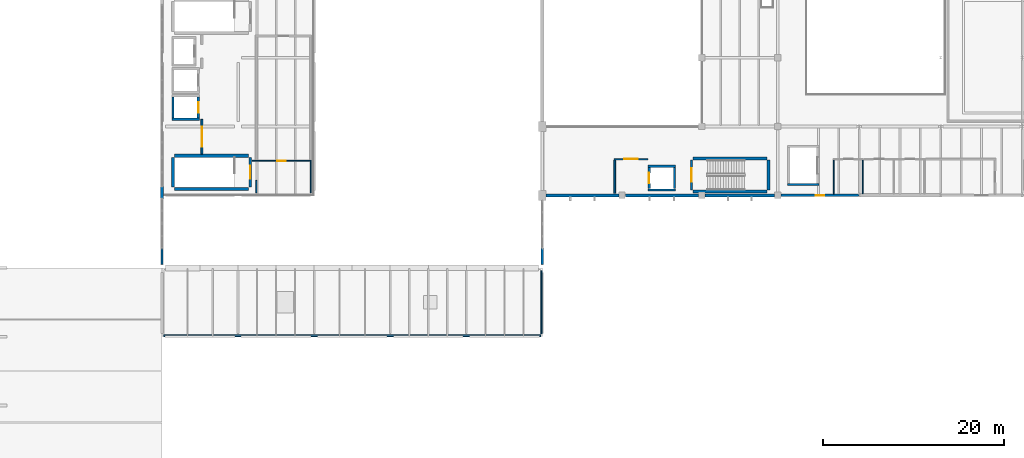
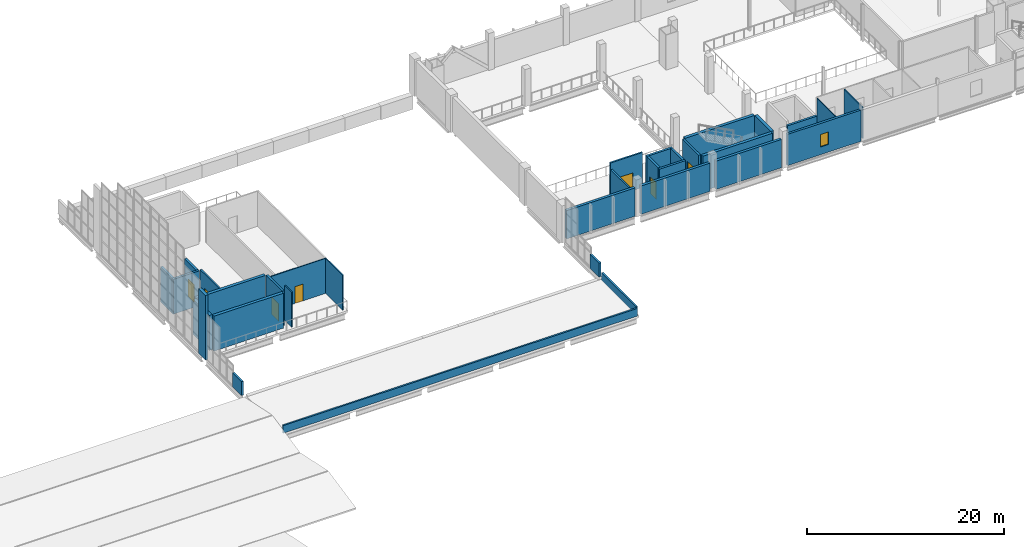
# One storey, part 28 of 37: 33 walls, 7 doors, 1 window, 8 openings.
"""IFC4 building model written with IfcOpenShell, lengths in metres."""

import ifcopenshell
import ifcopenshell.guid

model = None  # the IFC model being written
_history = None  # IfcOwnerHistory: only IFC2X3 demands one
_inside = {}  # id of a spatial element -> (the spatial element, [elements in it])
_under = {}  # id of a project, library or spatial element -> (it, [spatial elements below it])
_declared = {}  # id of a project -> (the project, [libraries it declares])
_typed = {}  # id of a type object -> (the type object, [elements of that type])
_made_of = {}  # id of a material, layer set ... -> (it, [elements and type objects made of it])


def new_model(schema):
    """Start an empty IFC model of exactly this schema.

    Asked for "IFC4X3", IfcOpenShell would pick the latest addendum, in which some entities
    have other attributes; the version numbers below select the first issue.
    IFC2X3 requires an IfcOwnerHistory on every rooted entity: one is made here for all.
    """
    global model, _history
    if schema == "IFC4X3":
        model = ifcopenshell.file(schema_version=(4, 3, 0, 0))
    else:
        model = ifcopenshell.file(schema=schema)
    _inside.clear()
    _under.clear()
    _declared.clear()
    _typed.clear()
    _made_of.clear()
    _history = None
    if model.schema == "IFC2X3":
        org = make("IfcOrganization", Name="unknown")
        user = make(
            "IfcPersonAndOrganization",
            ThePerson=make("IfcPerson", FamilyName="unknown"),
            TheOrganization=org,
        )
        app = make(
            "IfcApplication",
            ApplicationDeveloper=org,
            Version="unknown",
            ApplicationFullName="unknown",
            ApplicationIdentifier="unknown",
        )
        _history = make(
            "IfcOwnerHistory",
            OwningUser=user,
            OwningApplication=app,
            ChangeAction="ADDED",
            CreationDate=0,
        )
    return model


def make(cls, **values):
    """One entity of the class cls with the attributes given. An attribute that is None is left unset."""
    return model.create_entity(
        cls, **{name: value for name, value in values.items() if value is not None}
    )


def rooted(cls, **values):
    """An entity with a GlobalId (a new one), such as an element, a storey or a relation."""
    return make(cls, GlobalId=ifcopenshell.guid.new(), OwnerHistory=_history, **values)


def si_unit(unit_type, name, prefix=None):
    """IfcSIUnit, for example si_unit("LENGTHUNIT", "METRE", prefix="MILLI")."""
    return make("IfcSIUnit", UnitType=unit_type, Prefix=prefix, Name=name)


def assignment(units):
    """IfcUnitAssignment: the units of a project."""
    return None if units is None else make("IfcUnitAssignment", Units=units)


def point(xyz):
    """IfcCartesianPoint."""
    return None if xyz is None else make("IfcCartesianPoint", Coordinates=xyz)


def direction(xyz):
    """IfcDirection."""
    return None if xyz is None else make("IfcDirection", DirectionRatios=xyz)


def frame(location, z_axis=None, x_axis=None):
    """IfcAxis2Placement3D, a coordinate frame: its origin and axes. An axis left out is left unset."""
    return make(
        "IfcAxis2Placement3D",
        Location=point(location),
        Axis=direction(z_axis),
        RefDirection=direction(x_axis),
    )


def frame_2d(location, x_axis=None):
    """IfcAxis2Placement2D, a coordinate frame in the plane: its origin and x axis."""
    return make(
        "IfcAxis2Placement2D", Location=point(location), RefDirection=direction(x_axis)
    )


def origin():
    """The frame at (0, 0, 0) with its axes left unset."""
    return frame((0.0, 0.0, 0.0))


def place(relative_to, where):
    """IfcLocalPlacement: puts the frame where relative to a parent placement (None: the world)."""
    return make(
        "IfcLocalPlacement", PlacementRelTo=relative_to, RelativePlacement=where
    )


def context(
    kind, dimensions, precision=None, world=None, true_north=None, identifier=None
):
    """IfcGeometricRepresentationContext, for example the 3D "Model" context."""
    return make(
        "IfcGeometricRepresentationContext",
        ContextIdentifier=identifier,
        ContextType=kind,
        CoordinateSpaceDimension=dimensions,
        Precision=precision,
        WorldCoordinateSystem=world,
        TrueNorth=true_north,
    )


def subcontext(parent, identifier, kind, view, scale=None):
    """IfcGeometricRepresentationSubContext, for example "Body" below "Model"."""
    return make(
        "IfcGeometricRepresentationSubContext",
        ContextIdentifier=identifier,
        ContextType=kind,
        ParentContext=parent,
        TargetScale=scale,
        TargetView=view,
    )


def project(units=None, contexts=None):
    """IfcProject with its units and contexts."""
    return rooted(
        "IfcProject",
        Name="project",
        RepresentationContexts=contexts,
        UnitsInContext=assignment(units),
    )


def spatial(cls, under=None, at=None, **own):
    """A site, building, storey or space (cls), placed at a placement, below another one or the project."""
    s = rooted(cls, ObjectPlacement=at, **own)
    if under is not None:
        _under.setdefault(under.id(), (under, []))[1].append(s)
    return s


def profile(cls, at=None, kind="AREA", **sizes):
    """A parametric profile (cls). Its sizes go by their IFC names, for example OverallWidth=200.0."""
    return make(cls, ProfileType=kind, Position=at, **sizes)


def rectangle(**sizes):
    """IfcRectangleProfileDef."""
    return profile("IfcRectangleProfileDef", **sizes)


def extrude(swept, where, along, depth):
    """IfcExtrudedAreaSolid: the profile swept, set in the frame where, extruded along a direction by depth."""
    return make(
        "IfcExtrudedAreaSolid",
        SweptArea=swept,
        Position=where,
        ExtrudedDirection=direction(along),
        Depth=depth,
    )


def shape(context_of_items, identifier, shape_type, items):
    """IfcShapeRepresentation: the items that make up one representation, for example the "Body"."""
    return make(
        "IfcShapeRepresentation",
        ContextOfItems=context_of_items,
        RepresentationIdentifier=identifier,
        RepresentationType=shape_type,
        Items=items,
    )


def material(Name=None, Category=None):
    """IfcMaterial."""
    return make("IfcMaterial", Name=Name, Category=Category)


def layer(
    of_material, thickness, ventilated=None, Name=None, Category=None, Priority=None
):
    """IfcMaterialLayer: one layer of a wall or slab, of a material (None: an air gap)."""
    return make(
        "IfcMaterialLayer",
        Material=of_material,
        LayerThickness=thickness,
        IsVentilated=ventilated,
        Name=Name,
        Category=Category,
        Priority=Priority,
    )


def layer_set(layers, Name=None):
    """IfcMaterialLayerSet."""
    return make("IfcMaterialLayerSet", MaterialLayers=layers, LayerSetName=Name)


def made_of(thing, what):
    """Note that an element or type object is made of a material, layer set ...; save() writes the relation."""
    if what is not None:
        _made_of.setdefault(what.id(), (what, []))[1].append(thing)
    return thing


def type_object(cls, material=None, **own):
    """A type object (cls), such as IfcWallType, which elements share."""
    return made_of(rooted(cls, **own), material)


def element(
    cls,
    number,
    at=None,
    inside=None,
    cuts=None,
    type_object=None,
    material=None,
    context=None,
    identifier="Body",
    shape_type=None,
    held_by="IfcProductDefinitionShape",
    body=None,
    shapes=None,
    **own,
):
    """One element of the class cls, such as IfcWall. Its Tag is "e" and its number.

    at: its placement. inside: the storey or other place that contains it. cuts: it is an
    opening in that element (IfcRelVoidsElement). A single representation is given by context,
    identifier, shape_type and body (its items); several are given by shapes. held_by: the class
    of the entity that holds the representations. save() writes the other relations.
    """
    e = rooted(cls, Tag="e%d" % number, ObjectPlacement=at, **own)
    if body is not None:
        shapes = [shape(context, identifier, shape_type, body)]
    if shapes is not None:
        e.Representation = make(held_by, Representations=shapes)
    if inside is not None:
        _inside.setdefault(inside.id(), (inside, []))[1].append(e)
    if cuts is not None:
        rooted(
            "IfcRelVoidsElement", RelatingBuildingElement=cuts, RelatedOpeningElement=e
        )
    if type_object is not None:
        _typed.setdefault(type_object.id(), (type_object, []))[1].append(e)
    return made_of(e, material)


def fill(opening, filler):
    """IfcRelFillsElement: the door or window that sits in an opening."""
    return rooted(
        "IfcRelFillsElement",
        RelatingOpeningElement=opening,
        RelatedBuildingElement=filler,
    )


def aggregate(whole, parts):
    """IfcRelAggregates: a whole, such as a stair, and the parts it consists of."""
    return rooted("IfcRelAggregates", RelatingObject=whole, RelatedObjects=parts)


def save(model, path):
    """Write the relations noted so far, then the file.

    IfcRelAggregates (storeys below a building ...), IfcRelContainedInSpatialStructure (elements
    in a storey), IfcRelDefinesByType, IfcRelAssociatesMaterial and IfcRelDeclares: one each for
    every whole, place, type object, material and project.
    """
    for whole, parts in _under.values():
        aggregate(whole, parts)
    for where, things in _inside.values():
        rooted(
            "IfcRelContainedInSpatialStructure",
            RelatedElements=things,
            RelatingStructure=where,
        )
    for kind, things in _typed.values():
        rooted("IfcRelDefinesByType", RelatedObjects=things, RelatingType=kind)
    for what, things in _made_of.values():
        rooted("IfcRelAssociatesMaterial", RelatedObjects=things, RelatingMaterial=what)
    for by, libraries in _declared.values():
        rooted("IfcRelDeclares", RelatingContext=by, RelatedDefinitions=libraries)
    model.write(path)


model = new_model("IFC4")

# Units and contexts
model_context = context("Model", 3, precision=1e-05, world=origin(), true_north=direction((0.0, 1.0)))
body_context = subcontext(model_context, "Body", "Model", "MODEL_VIEW")
ifc_project = project(units=[si_unit("LENGTHUNIT", "METRE"), si_unit("AREAUNIT", "SQUARE_METRE"), si_unit("VOLUMEUNIT", "CUBIC_METRE"), si_unit("PLANEANGLEUNIT", "RADIAN"), si_unit("MASSUNIT", "GRAM", prefix="KILO")], contexts=[model_context])

# Site, building, storey
site_placement = place(None, origin())
site = spatial("IfcSite", under=ifc_project, at=site_placement, CompositionType="ELEMENT")
building_placement = place(site_placement, origin())
building = spatial("IfcBuilding", under=site, at=building_placement, Name="Shengluoqiao Park Theatre", CompositionType="ELEMENT")
storey_placement = place(building_placement, frame((0.0, 0.0, 19.199951171875)))
storey = spatial("IfcBuildingStorey", under=building, at=storey_placement, Name="L04", CompositionType="ELEMENT", Elevation=19.199951171875)

# Wall, opening, window
ifc_material_1 = material(Name="Concrete C40", Category="concrete")
ifc_layer_1 = layer(ifc_material_1, 0.27001953125, Name="Concrete C40")
ifc_layer_set_1 = layer_set([ifc_layer_1], Name="Concrete C40")
wall_type_1 = type_object("IfcWallType", Name="ENV-WL-CONC270", PredefinedType="STANDARD", material=ifc_layer_set_1)
wall_1_placement = place(storey_placement, frame((112.75390625, 84.0, 0.0), z_axis=(0.0, 0.0, 1.0), x_axis=(1.0, 0.0, 0.0)))
wall_1 = element("IfcWall", 1, at=wall_1_placement, inside=storey, type_object=wall_type_1, Name="L04 Exterior Wall 0256", PredefinedType="STANDARD", context=body_context, shape_type="SweptSolid", body=[
    extrude(rectangle(XDim=8.635986328125, YDim=0.27001953125, at=frame_2d((4.31787109375, 0.0))), origin(), (0.0, 0.0, 1.0), 3.8779296875),
])
opening_1_placement = place(wall_1_placement, frame((3.843017578125, 0.0, 0.949951171875)))
opening_1 = element("IfcOpeningElement", 2, at=opening_1_placement, cuts=wall_1, Name="Opening W-08", PredefinedType="OPENING", context=body_context, shape_type="SweptSolid", body=[
    extrude(rectangle(XDim=0.949951171875, YDim=1.550048828125, at=frame_2d((0.47509765625, 0.77490234375))), frame((0.0, 0.14501953125, 0.0), z_axis=(0.0, -1.0, 0.0), x_axis=(1.0, 0.0, 0.0)), (0.0, 0.0, 1.0), 0.2900390625),
])
ifc_material_2 = material(Name="Insulated glass", Category="glass")
window_type = type_object("IfcWindowType", Name="ENV-WIN-W08", PartitioningType="SINGLE_PANEL", PredefinedType="WINDOW", material=ifc_material_2)
window_placement = place(opening_1_placement, origin())
window = element("IfcWindow", 3, at=window_placement, inside=storey, type_object=window_type, Name="L04 Acoustic Window 0097", OverallHeight=1.550048828125, OverallWidth=0.949951171875, PartitioningType="SINGLE_PANEL", PredefinedType="WINDOW", context=body_context, shape_type="SweptSolid", body=[
    extrude(rectangle(XDim=0.949951171875, YDim=1.550048828125, at=frame_2d((0.47509765625, 0.77490234375))), frame((0.0, 0.030029296875, 0.0), z_axis=(0.0, -1.0, 0.0), x_axis=(1.0, 0.0, 0.0)), (0.0, 0.0, 1.0), 0.06005859375),
])
fill(opening_1, window)

# Walls
ifc_layer_2 = layer(ifc_material_1, 0.31005859375, Name="Concrete C40")
ifc_layer_set_2 = layer_set([ifc_layer_2], Name="Concrete C40")
wall_type_2 = type_object("IfcWallType", Name="ENV-WL-CONC310", PredefinedType="STANDARD", material=ifc_layer_set_2)
wall_2_placement = place(storey_placement, frame((86.803955078125, 84.0, 0.0), z_axis=(0.0, 0.0, 1.0), x_axis=(1.0, 0.0, 0.0)))
element("IfcWall", 4, at=wall_2_placement, inside=storey, type_object=wall_type_2, Name="L04 Exterior Wall 0080", PredefinedType="STANDARD", context=body_context, shape_type="SweptSolid", body=[
    extrude(rectangle(XDim=8.0419921875, YDim=0.31005859375, at=frame_2d((4.02099609375, 0.0))), origin(), (0.0, 0.0, 1.0), 3.51806640625),
])
wall_3_placement = place(storey_placement, frame((95.553955078125, 84.0, 0.0), z_axis=(0.0, 0.0, 1.0), x_axis=(1.0, 0.0, 0.0)))
element("IfcWall", 5, at=wall_3_placement, inside=storey, type_object=wall_type_2, Name="L04 Exterior Wall 0081", PredefinedType="STANDARD", context=body_context, shape_type="SweptSolid", body=[
    extrude(rectangle(XDim=8.092041015625, YDim=0.31005859375, at=frame_2d((4.0458984375, 0.0))), origin(), (0.0, 0.0, 1.0), 3.51806640625),
])
wall_4_placement = place(storey_placement, frame((104.35400390625, 84.0, 0.0), z_axis=(0.0, 0.0, 1.0), x_axis=(1.0, 0.0, 0.0)))
element("IfcWall", 6, at=wall_4_placement, inside=storey, type_object=wall_type_2, Name="L04 Exterior Wall 0082", PredefinedType="STANDARD", context=body_context, shape_type="SweptSolid", body=[
    extrude(rectangle(XDim=7.69189453125, YDim=0.31005859375, at=frame_2d((3.845947265625, 0.0))), origin(), (0.0, 0.0, 1.0), 3.51806640625),
])
ifc_material_3 = material(Name="Concrete C45", Category="concrete")
ifc_layer_3 = layer(ifc_material_3, 0.330078125, Name="Concrete C45")
ifc_layer_set_3 = layer_set([ifc_layer_3], Name="Concrete C45")
wall_type_3 = type_object("IfcWallType", Name="ENV-WL-CONC330", PredefinedType="STANDARD", material=ifc_layer_set_3)
wall_5_placement = place(storey_placement, frame((44.39990234375, 83.60009765625, 0.0), z_axis=(0.0, 0.0, 1.0), x_axis=(0.0, 1.0, 0.0)))
element("IfcWall", 7, at=wall_5_placement, inside=storey, type_object=wall_type_3, Name="L04 Exterior Wall 0301", PredefinedType="STANDARD", context=body_context, shape_type="SweptSolid", body=[
    extrude(rectangle(XDim=1.39990234375, YDim=0.330078125, at=frame_2d((0.699951171875, 0.0))), origin(), (0.0, 0.0, 1.0), 8.024169921875),
])
ifc_material_4 = material(Name="Precast concrete C45", Category="concrete")
ifc_layer_4 = layer(ifc_material_4, 0.25, Name="Precast concrete C45")
ifc_layer_set_4 = layer_set([ifc_layer_4], Name="Precast concrete C45")
wall_type_4 = type_object("IfcWallType", Name="ENV-WL-CRYS250", PredefinedType="STANDARD", material=ifc_layer_set_4)
for number, where, z_axis, x_axis, name in (
    (8, (44.39990234375, 76.340087890625, 0.0), (0.0, 0.0, 1.0), (0.0, 1.0, 0.0), "L04 Exterior Wall 0299"),
    (9, (86.39990234375, 76.340087890625, 0.0), (0.0, 0.0, 1.0), (0.0, 1.0, 0.0), "L04 Exterior Wall 0303"),
):
    element("IfcWall", number, at=place(storey_placement, frame(where, z_axis=z_axis, x_axis=x_axis)), inside=storey, type_object=wall_type_4, Name=name, PredefinedType="STANDARD", context=body_context, shape_type="SweptSolid", body=[
        extrude(rectangle(XDim=1.85986328125, YDim=0.25, at=frame_2d((0.929931640625, 0.0))), origin(), (0.0, 0.0, 1.0), 1.699951171875),
    ])
ifc_layer_5 = layer(ifc_material_4, 0.18994140625, Name="Precast concrete C45")
ifc_layer_set_5 = layer_set([ifc_layer_5], Name="Precast concrete C45")
wall_type_5 = type_object("IfcWallType", Name="ENV-WL-PARA190", PredefinedType="PARAPET", material=ifc_layer_set_5)
wall_6_placement = place(storey_placement, frame((44.60009765625, 68.5, 0.0), z_axis=(0.0, 0.0, 1.0), x_axis=(1.0, 0.0, 0.0)))
element("IfcWall", 10, at=wall_6_placement, inside=storey, type_object=wall_type_5, Name="L04 Roof Parapet Upstand 14", PredefinedType="PARAPET", context=body_context, shape_type="SweptSolid", body=[
    extrude(rectangle(XDim=41.599853515625, YDim=0.18994140625, at=frame_2d((20.7998046875, 0.0))), origin(), (0.0, 0.0, 1.0), 0.949951171875),
])
wall_7_placement = place(storey_placement, frame((86.300048828125, 68.699951171875, 0.0), z_axis=(0.0, 0.0, 1.0), x_axis=(0.0, 1.0, 0.0)))
element("IfcWall", 11, at=wall_7_placement, inside=storey, type_object=wall_type_5, Name="L04 Roof Parapet Upstand 15", PredefinedType="PARAPET", context=body_context, shape_type="SweptSolid", body=[
    extrude(rectangle(XDim=7.0, YDim=0.18994140625, at=frame_2d((3.5, 0.0))), origin(), (0.0, 0.0, 1.0), 0.949951171875),
])

# Wall, opening, door
ifc_material_5 = material(Name="Concrete blockwork B06", Category="masonry")
ifc_layer_6 = layer(ifc_material_5, 0.2099609375, Name="Concrete blockwork B06")
ifc_layer_set_6 = layer_set([ifc_layer_6], Name="Concrete blockwork B06")
wall_type_6 = type_object("IfcWallType", Name="INT-WL-CMP210", PredefinedType="PARTITIONING", material=ifc_layer_set_6)
wall_8_placement = place(storey_placement, frame((48.800048828125, 88.56298828125, 0.0), z_axis=(0.0, 0.0, 1.0), x_axis=(0.0, 1.0, 0.0)))
wall_8 = element("IfcWall", 12, at=wall_8_placement, inside=storey, type_object=wall_type_6, Name="Followspot and Stage Optics Workshop Partition W", PredefinedType="PARTITIONING", context=body_context, shape_type="SweptSolid", body=[
    extrude(rectangle(XDim=3.822998046875, YDim=0.2099609375, at=frame_2d((1.91162109375, 0.0))), origin(), (0.0, 0.0, 1.0), 4.340087890625),
])
opening_2_placement = place(wall_8_placement, frame((0.821533203125, 0.0, 0.0)))
opening_2 = element("IfcOpeningElement", 13, at=opening_2_placement, cuts=wall_8, Name="Opening D-L04-094", PredefinedType="OPENING", context=body_context, shape_type="SweptSolid", body=[
    extrude(rectangle(XDim=2.179931640625, YDim=2.580078125, at=frame_2d((1.08984375, 1.2900390625))), frame((0.0, 0.114990234375, 0.0), z_axis=(0.0, -1.0, 0.0), x_axis=(1.0, 0.0, 0.0)), (0.0, 0.0, 1.0), 0.22998046875),
])
ifc_material_6 = material(Name="Steel Q355", Category="steel")
door_type_1 = type_object("IfcDoorType", Name="INT-DR-WKS218", OperationType="DOUBLE_DOOR_SINGLE_SWING", PredefinedType="DOOR", material=ifc_material_6)
door_1_placement = place(opening_2_placement, origin())
door_1 = element("IfcDoor", 14, at=door_1_placement, inside=storey, type_object=door_type_1, Name="Followspot and Stage Optics Workshop Door D-L04-094", OperationType="DOUBLE_DOOR_SINGLE_SWING", OverallHeight=2.580078125, OverallWidth=2.179931640625, PredefinedType="DOOR", context=body_context, shape_type="SweptSolid", body=[
    extrude(rectangle(XDim=2.179931640625, YDim=2.580078125, at=frame_2d((1.08984375, 1.2900390625))), frame((0.0, 0.02490234375, 0.0), z_axis=(0.0, -1.0, 0.0), x_axis=(1.0, 0.0, 0.0)), (0.0, 0.0, 1.0), 0.050048828125),
])
fill(opening_2, door_1)

# Wall
ifc_layer_7 = layer(ifc_material_5, 0.195068359375, Name="Concrete blockwork B06")
ifc_layer_set_7 = layer_set([ifc_layer_7], Name="Concrete blockwork B06")
wall_type_7 = type_object("IfcWallType", Name="INT-WL-FFL195", PredefinedType="PARTITIONING", material=ifc_layer_set_7)
wall_9_placement = place(storey_placement, frame((94.39990234375, 84.219970703125, 0.0), z_axis=(0.0, 0.0, 1.0), x_axis=(0.0, 1.0, 0.0)))
element("IfcWall", 15, at=wall_9_placement, inside=storey, type_object=wall_type_7, Name="L04 Firefighting Lift Lobby FF1 Fire Wall W", PredefinedType="PARTITIONING", context=body_context, shape_type="SweptSolid", body=[
    extrude(rectangle(XDim=3.675048828125, YDim=0.195068359375, at=frame_2d((1.83740234375, 0.0))), origin(), (0.0, 0.0, 1.0), 3.51806640625),
])

# Wall, opening, door
wall_10_placement = place(storey_placement, frame((94.31005859375, 88.0, 0.0), z_axis=(0.0, 0.0, 1.0), x_axis=(1.0, 0.0, 0.0)))
wall_10 = element("IfcWall", 16, at=wall_10_placement, inside=storey, type_object=wall_type_7, Name="L04 Firefighting Lift Lobby FF1 Fire Wall N", PredefinedType="PARTITIONING", context=body_context, shape_type="SweptSolid", body=[
    extrude(rectangle(XDim=3.75, YDim=0.195068359375, at=frame_2d((1.875, 0.0))), origin(), (0.0, 0.0, 1.0), 4.340087890625),
])
opening_3_placement = place(wall_10_placement, frame((1.125, 0.0, 0.0)))
opening_3 = element("IfcOpeningElement", 17, at=opening_3_placement, cuts=wall_10, Name="Opening FD-FFL-1-L04", PredefinedType="OPENING", context=body_context, shape_type="SweptSolid", body=[
    extrude(rectangle(XDim=1.5, YDim=2.199951171875, at=frame_2d((0.75, 1.10009765625))), frame((0.0, 0.107421875, 0.0), z_axis=(0.0, -1.0, 0.0), x_axis=(1.0, 0.0, 0.0)), (0.0, 0.0, 1.0), 0.215087890625),
])
door_type_2 = type_object("IfcDoorType", Name="INT-DR-FFL150", OperationType="DOUBLE_DOOR_SINGLE_SWING", PredefinedType="DOOR", material=ifc_material_6)
door_2_placement = place(opening_3_placement, origin())
door_2 = element("IfcDoor", 18, at=door_2_placement, inside=storey, type_object=door_type_2, Name="L04 Firefighting Lift Lobby FF1 Fire Door FD-FFL-1-L04", OperationType="DOUBLE_DOOR_SINGLE_SWING", OverallHeight=2.199951171875, OverallWidth=1.5, PredefinedType="DOOR", context=body_context, shape_type="SweptSolid", body=[
    extrude(rectangle(XDim=1.5, YDim=2.199951171875, at=frame_2d((0.75, 1.10009765625))), frame((0.0, 0.02490234375, 0.0), z_axis=(0.0, -1.0, 0.0), x_axis=(1.0, 0.0, 0.0)), (0.0, 0.0, 1.0), 0.050048828125),
])
fill(opening_3, door_2)

# Walls
ifc_layer_8 = layer(ifc_material_1, 0.260009765625, Name="Concrete C40")
ifc_layer_set_8 = layer_set([ifc_layer_8], Name="Concrete C40")
wall_type_8 = type_object("IfcWallType", Name="INT-WL-SHF260", PredefinedType="STANDARD", material=ifc_layer_set_8)
wall_11_placement = place(storey_placement, frame((45.469970703125, 92.39990234375, 0.0), z_axis=(0.0, 0.0, 1.0), x_axis=(1.0, 0.0, 0.0)))
element("IfcWall", 19, at=wall_11_placement, inside=storey, type_object=wall_type_8, Name="L04 PL3 Lift Shaft Wall South", PredefinedType="STANDARD", context=body_context, shape_type="SweptSolid", body=[
    extrude(rectangle(XDim=3.06005859375, YDim=0.260009765625, at=frame_2d((1.530029296875, 0.0))), origin(), (0.0, 0.0, 1.0), 4.340087890625),
])
wall_12_placement = place(storey_placement, frame((45.60009765625, 92.535888671875, 0.0), z_axis=(0.0, 0.0, 1.0), x_axis=(0.0, 1.0, 0.0)))
element("IfcWall", 20, at=wall_12_placement, inside=storey, type_object=wall_type_8, Name="L04 PL3 Lift Shaft Wall West", PredefinedType="STANDARD", context=body_context, shape_type="SweptSolid", body=[
    extrude(rectangle(XDim=2.328125, YDim=0.260009765625, at=frame_2d((1.1640625, 0.0))), origin(), (0.0, 0.0, 1.0), 4.340087890625),
])

# Wall, opening, door
wall_13_placement = place(storey_placement, frame((48.39990234375, 92.535888671875, 0.0), z_axis=(0.0, 0.0, 1.0), x_axis=(0.0, 1.0, 0.0)))
wall_13 = element("IfcWall", 21, at=wall_13_placement, inside=storey, type_object=wall_type_8, Name="L04 PL3 Lift Shaft Wall East", PredefinedType="STANDARD", context=body_context, shape_type="SweptSolid", body=[
    extrude(rectangle(XDim=2.328125, YDim=0.260009765625, at=frame_2d((1.1640625, 0.0))), origin(), (0.0, 0.0, 1.0), 4.340087890625),
])
opening_4_placement = place(wall_13_placement, frame((0.589111328125, 0.0, 0.0)))
opening_4 = element("IfcOpeningElement", 22, at=opening_4_placement, cuts=wall_13, Name="Opening LD-PL3-L04", PredefinedType="OPENING", context=body_context, shape_type="SweptSolid", body=[
    extrude(rectangle(XDim=1.14990234375, YDim=2.14990234375, at=frame_2d((0.574951171875, 1.074951171875))), frame((0.0, 0.139892578125, 0.0), z_axis=(0.0, -1.0, 0.0), x_axis=(1.0, 0.0, 0.0)), (0.0, 0.0, 1.0), 0.280029296875),
])
ifc_material_7 = material(Name="Stainless steel 304", Category="steel")
door_type_3 = type_object("IfcDoorType", Name="INT-DR-LD115", OperationType="SLIDING_TO_LEFT", PredefinedType="DOOR", material=ifc_material_7)
door_3_placement = place(opening_4_placement, origin())
door_3 = element("IfcDoor", 23, at=door_3_placement, inside=storey, type_object=door_type_3, Name="PL3 Lift Landing Door LD-PL3-L04", OperationType="SLIDING_TO_LEFT", OverallHeight=2.14990234375, OverallWidth=1.14990234375, PredefinedType="DOOR", context=body_context, shape_type="SweptSolid", body=[
    extrude(rectangle(XDim=1.14990234375, YDim=2.14990234375, at=frame_2d((0.574951171875, 1.074951171875))), frame((0.0, 0.02490234375, 0.0), z_axis=(0.0, -1.0, 0.0), x_axis=(1.0, 0.0, 0.0)), (0.0, 0.0, 1.0), 0.050048828125),
])
fill(opening_4, door_3)

# Walls
for number, where, z_axis, x_axis, name in (
    (24, (98.070068359375, 84.60009765625, 0.0), (0.0, 0.0, 1.0), (1.0, 0.0, 0.0), "L04 FF1 Lift Shaft Wall South"),
    (25, (98.070068359375, 87.199951171875, 0.0), (0.0, 0.0, 1.0), (1.0, 0.0, 0.0), "L04 FF1 Lift Shaft Wall North"),
):
    element("IfcWall", number, at=place(storey_placement, frame(where, z_axis=z_axis, x_axis=x_axis)), inside=storey, type_object=wall_type_8, Name=name, PredefinedType="STANDARD", context=body_context, shape_type="SweptSolid", body=[
        extrude(rectangle(XDim=3.059814453125, YDim=0.260009765625, at=frame_2d((1.52978515625, 0.0))), origin(), (0.0, 0.0, 1.0), 4.340087890625),
    ])

# Wall, opening, door
wall_14_placement = place(storey_placement, frame((98.199951171875, 84.736083984375, 0.0), z_axis=(0.0, 0.0, 1.0), x_axis=(0.0, 1.0, 0.0)))
wall_14 = element("IfcWall", 26, at=wall_14_placement, inside=storey, type_object=wall_type_8, Name="L04 FF1 Lift Shaft Wall West", PredefinedType="STANDARD", context=body_context, shape_type="SweptSolid", body=[
    extrude(rectangle(XDim=2.327880859375, YDim=0.260009765625, at=frame_2d((1.1640625, 0.0))), origin(), (0.0, 0.0, 1.0), 4.340087890625),
])
opening_5_placement = place(wall_14_placement, frame((0.589111328125, 0.0, 0.0)))
opening_5 = element("IfcOpeningElement", 27, at=opening_5_placement, cuts=wall_14, Name="Opening LD-FF1-L04", PredefinedType="OPENING", context=body_context, shape_type="SweptSolid", body=[
    extrude(rectangle(XDim=1.14990234375, YDim=2.14990234375, at=frame_2d((0.574951171875, 1.074951171875))), frame((0.0, 0.139892578125, 0.0), z_axis=(0.0, -1.0, 0.0), x_axis=(1.0, 0.0, 0.0)), (0.0, 0.0, 1.0), 0.280029296875),
])
door_4_placement = place(opening_5_placement, origin())
door_4 = element("IfcDoor", 28, at=door_4_placement, inside=storey, type_object=door_type_3, Name="FF1 Lift Landing Door LD-FF1-L04", OperationType="SLIDING_TO_LEFT", OverallHeight=2.14990234375, OverallWidth=1.14990234375, PredefinedType="DOOR", context=body_context, shape_type="SweptSolid", body=[
    extrude(rectangle(XDim=1.14990234375, YDim=2.14990234375, at=frame_2d((0.574951171875, 1.074951171875))), frame((0.0, 0.02490234375, 0.0), z_axis=(0.0, -1.0, 0.0), x_axis=(1.0, 0.0, 0.0)), (0.0, 0.0, 1.0), 0.050048828125),
])
fill(opening_5, door_4)

# Walls
wall_15_placement = place(storey_placement, frame((101.0, 84.736083984375, 0.0), z_axis=(0.0, 0.0, 1.0), x_axis=(0.0, 1.0, 0.0)))
element("IfcWall", 29, at=wall_15_placement, inside=storey, type_object=wall_type_8, Name="L04 FF1 Lift Shaft Wall East", PredefinedType="STANDARD", context=body_context, shape_type="SweptSolid", body=[
    extrude(rectangle(XDim=2.327880859375, YDim=0.260009765625, at=frame_2d((1.1640625, 0.0))), origin(), (0.0, 0.0, 1.0), 4.340087890625),
])
wall_16_placement = place(storey_placement, frame((113.469970703125, 85.199951171875, 0.0), z_axis=(0.0, 0.0, 1.0), x_axis=(1.0, 0.0, 0.0)))
element("IfcWall", 30, at=wall_16_placement, inside=storey, type_object=wall_type_8, Name="L04 FL1 Lift Shaft Wall South", PredefinedType="STANDARD", context=body_context, shape_type="SweptSolid", body=[
    extrude(rectangle(XDim=3.4599609375, YDim=0.260009765625, at=frame_2d((1.72998046875, 0.0))), origin(), (0.0, 0.0, 1.0), 3.968017578125),
])

# Wall, opening, door
ifc_layer_9 = layer(ifc_material_1, 0.239990234375, Name="Concrete C40")
ifc_layer_set_9 = layer_set([ifc_layer_9], Name="Concrete C40")
wall_type_9 = type_object("IfcWallType", Name="INT-WL-STW240", PredefinedType="STANDARD", material=ifc_layer_set_9)
wall_17_placement = place(storey_placement, frame((54.139892578125, 88.18994140625, 0.0), z_axis=(0.0, 0.0, 1.0), x_axis=(0.0, -1.0, 0.0)))
wall_17 = element("IfcWall", 31, at=wall_17_placement, inside=storey, type_object=wall_type_9, Name="L04 ST-02 Stairwell Fire Wall", PredefinedType="STANDARD", context=body_context, shape_type="SweptSolid", body=[
    extrude(rectangle(XDim=3.280029296875, YDim=0.239990234375, at=frame_2d((1.64013671875, 0.0))), origin(), (0.0, 0.0, 1.0), 4.340087890625),
])
opening_6_placement = place(wall_17_placement, frame((0.9150390625, 0.0, 0.0)))
opening_6 = element("IfcOpeningElement", 32, at=opening_6_placement, cuts=wall_17, Name="Opening SD-02-L04", PredefinedType="OPENING", context=body_context, shape_type="SweptSolid", body=[
    extrude(rectangle(XDim=1.449951171875, YDim=2.199951171875, at=frame_2d((0.72509765625, 1.10009765625))), frame((0.0, 0.1298828125, 0.0), z_axis=(0.0, -1.0, 0.0), x_axis=(1.0, 0.0, 0.0)), (0.0, 0.0, 1.0), 0.260009765625),
])
door_type_4 = type_object("IfcDoorType", Name="INT-DR-STW145", OperationType="DOUBLE_DOOR_SINGLE_SWING", PredefinedType="DOOR", material=ifc_material_6)
door_5_placement = place(opening_6_placement, origin())
door_5 = element("IfcDoor", 33, at=door_5_placement, inside=storey, type_object=door_type_4, Name="L04 ST-02 Escape Stair Door SD-02-L04", OperationType="DOUBLE_DOOR_SINGLE_SWING", OverallHeight=2.199951171875, OverallWidth=1.449951171875, PredefinedType="DOOR", context=body_context, shape_type="SweptSolid", body=[
    extrude(rectangle(XDim=1.449951171875, YDim=2.199951171875, at=frame_2d((0.72509765625, 1.10009765625))), frame((0.0, 0.02490234375, 0.0), z_axis=(0.0, -1.0, 0.0), x_axis=(1.0, 0.0, 0.0)), (0.0, 0.0, 1.0), 0.050048828125),
])
fill(opening_6, door_5)

wall_18_placement = place(storey_placement, frame((102.860107421875, 84.610107421875, 0.0), z_axis=(0.0, 0.0, 1.0), x_axis=(0.0, 1.0, 0.0)))
wall_18 = element("IfcWall", 34, at=wall_18_placement, inside=storey, type_object=wall_type_9, Name="L04 ST-05 Stairwell Fire Wall", PredefinedType="STANDARD", context=body_context, shape_type="SweptSolid", body=[
    extrude(rectangle(XDim=3.27978515625, YDim=0.239990234375, at=frame_2d((1.639892578125, 0.0))), origin(), (0.0, 0.0, 1.0), 4.340087890625),
])
opening_7_placement = place(wall_18_placement, frame((0.9150390625, 0.0, 0.0)))
opening_7 = element("IfcOpeningElement", 35, at=opening_7_placement, cuts=wall_18, Name="Opening SD-05-L04", PredefinedType="OPENING", context=body_context, shape_type="SweptSolid", body=[
    extrude(rectangle(XDim=1.449951171875, YDim=2.199951171875, at=frame_2d((0.72509765625, 1.10009765625))), frame((0.0, 0.1298828125, 0.0), z_axis=(0.0, -1.0, 0.0), x_axis=(1.0, 0.0, 0.0)), (0.0, 0.0, 1.0), 0.260009765625),
])
door_6_placement = place(opening_7_placement, origin())
door_6 = element("IfcDoor", 36, at=door_6_placement, inside=storey, type_object=door_type_4, Name="L04 ST-05 Escape Stair Door SD-05-L04", OperationType="DOUBLE_DOOR_SINGLE_SWING", OverallHeight=2.199951171875, OverallWidth=1.449951171875, PredefinedType="DOOR", context=body_context, shape_type="SweptSolid", body=[
    extrude(rectangle(XDim=1.449951171875, YDim=2.199951171875, at=frame_2d((0.72509765625, 1.10009765625))), frame((0.0, 0.02490234375, 0.0), z_axis=(0.0, -1.0, 0.0), x_axis=(1.0, 0.0, 0.0)), (0.0, 0.0, 1.0), 0.050048828125),
])
fill(opening_7, door_6)

# Walls
ifc_material_8 = material(Name="Moisture-resistant board")
ifc_layer_10 = layer(ifc_material_8, 0.114990234375, Name="Moisture-resistant board")
ifc_layer_set_10 = layer_set([ifc_layer_10], Name="Moisture-resistant board")
wall_type_10 = type_object("IfcWallType", Name="INT-WL-WCP115", PredefinedType="PARTITIONING", material=ifc_layer_set_10)
wall_19_placement = place(storey_placement, frame((121.800048828125, 84.197998046875, 0.0), z_axis=(0.0, 0.0, 1.0), x_axis=(0.0, 1.0, 0.0)))
element("IfcWall", 37, at=wall_19_placement, inside=storey, type_object=wall_type_10, Name="Fourth Floor Accessible WC Partition E", PredefinedType="PARTITIONING", context=body_context, shape_type="SweptSolid", body=[
    extrude(rectangle(XDim=3.738525390625, YDim=0.114990234375, at=frame_2d((1.869140625, 0.0))), origin(), (0.0, 0.0, 1.0), 3.8779296875),
])
wall_20_placement = place(storey_placement, frame((118.60009765625, 84.14306640625, 0.0), z_axis=(0.0, 0.0, 1.0), x_axis=(0.0, 1.0, 0.0)))
element("IfcWall", 38, at=wall_20_placement, inside=storey, type_object=wall_type_10, Name="Fourth Floor Accessible WC Partition W", PredefinedType="PARTITIONING", context=body_context, shape_type="SweptSolid", body=[
    extrude(rectangle(XDim=3.79345703125, YDim=0.114990234375, at=frame_2d((1.896728515625, 0.0))), origin(), (0.0, 0.0, 1.0), 3.8779296875),
])

# Wall, opening, door
wall_21_placement = place(storey_placement, frame((54.340087890625, 87.800048828125, 0.0), z_axis=(0.0, 0.0, 1.0), x_axis=(1.0, 0.0, 0.0)))
wall_21 = element("IfcWall", 39, at=wall_21_placement, inside=storey, type_object=wall_type_10, Name="Auditorium Technical Crew WC Partition N", PredefinedType="PARTITIONING", context=body_context, shape_type="SweptSolid", body=[
    extrude(rectangle(XDim=6.517333984375, YDim=0.114990234375, at=frame_2d((3.2587890625, 0.0))), origin(), (0.0, 0.0, 1.0), 4.340087890625),
])
opening_8_placement = place(wall_21_placement, frame((2.77880859375, 0.0, 0.0)))
opening_8 = element("IfcOpeningElement", 40, at=opening_8_placement, cuts=wall_21, Name="Opening D-L04-092", PredefinedType="OPENING", context=body_context, shape_type="SweptSolid", body=[
    extrude(rectangle(XDim=0.9599609375, YDim=2.080078125, at=frame_2d((0.47998046875, 1.0400390625))), frame((0.0, 0.0673828125, 0.0), z_axis=(0.0, -1.0, 0.0), x_axis=(1.0, 0.0, 0.0)), (0.0, 0.0, 1.0), 0.135009765625),
])
ifc_material_9 = material(Name="Moisture-resistant laminate")
door_type_5 = type_object("IfcDoorType", Name="INT-DR-ACC096", OperationType="NOTDEFINED", PredefinedType="DOOR", material=ifc_material_9)
door_7_placement = place(opening_8_placement, origin())
door_7 = element("IfcDoor", 41, at=door_7_placement, inside=storey, type_object=door_type_5, Name="Auditorium Technical Crew WC Door D-L04-092", OperationType="SINGLE_SWING_RIGHT", OverallHeight=2.080078125, OverallWidth=0.9599609375, PredefinedType="DOOR", context=body_context, shape_type="SweptSolid", body=[
    extrude(rectangle(XDim=0.9599609375, YDim=2.080078125, at=frame_2d((0.47998046875, 1.0400390625))), frame((0.0, 0.02490234375, 0.0), z_axis=(0.0, -1.0, 0.0), x_axis=(1.0, 0.0, 0.0)), (0.0, 0.0, 1.0), 0.050048828125),
])
fill(opening_8, door_7)

# Walls
wall_22_placement = place(storey_placement, frame((60.800048828125, 84.263427734375, 0.0), z_axis=(0.0, 0.0, 1.0), x_axis=(0.0, 1.0, 0.0)))
element("IfcWall", 42, at=wall_22_placement, inside=storey, type_object=wall_type_10, Name="Auditorium Technical Crew WC Partition E", PredefinedType="PARTITIONING", context=body_context, shape_type="SweptSolid", body=[
    extrude(rectangle(XDim=3.47314453125, YDim=0.114990234375, at=frame_2d((1.736572265625, 0.0))), origin(), (0.0, 0.0, 1.0), 4.340087890625),
])
wall_23_placement = place(storey_placement, frame((54.800048828125, 84.263427734375, 0.0), z_axis=(0.0, 0.0, 1.0), x_axis=(0.0, 1.0, 0.0)))
element("IfcWall", 43, at=wall_23_placement, inside=storey, type_object=wall_type_10, Name="Auditorium Technical Crew WC Partition W", PredefinedType="PARTITIONING", context=body_context, shape_type="SweptSolid", body=[
    extrude(rectangle(XDim=1.401611328125, YDim=0.114990234375, at=frame_2d((0.70068359375, 0.0))), origin(), (0.0, 0.0, 1.0), 4.340087890625),
])
ifc_material_10 = material(Name="Concrete C50", Category="concrete")
ifc_layer_11 = layer(ifc_material_10, 0.35009765625, Name="Concrete C50")
ifc_layer_set_11 = layer_set([ifc_layer_11], Name="Concrete C50")
wall_type_11 = type_object("IfcWallType", Name="STR-SW-CORE350", PredefinedType="SHEAR", material=ifc_layer_set_11)
wall_24_placement = place(storey_placement, frame((53.949951171875, 88.3798828125, 0.0), z_axis=(0.0, 0.0, 1.0), x_axis=(-1.0, 0.0, 0.0)))
element("IfcWall", 44, at=wall_24_placement, inside=storey, type_object=wall_type_11, Name="L04 ST-02 Core Left Shear Wall 0052", PredefinedType="SHEAR", context=body_context, shape_type="SweptSolid", body=[
    extrude(rectangle(XDim=8.14990234375, YDim=0.35009765625, at=frame_2d((4.074951171875, 0.0))), origin(), (0.0, 0.0, 1.0), 4.340087890625),
])
wall_25_placement = place(storey_placement, frame((45.6201171875, 88.199951171875, 0.0), z_axis=(0.0, 0.0, 1.0), x_axis=(0.0, -1.0, 0.0)))
element("IfcWall", 45, at=wall_25_placement, inside=storey, type_object=wall_type_11, Name="L04 ST-02 Core Far Shear Wall 0053", PredefinedType="SHEAR", context=body_context, shape_type="SweptSolid", body=[
    extrude(rectangle(XDim=3.300048828125, YDim=0.35009765625, at=frame_2d((1.64990234375, 0.0))), origin(), (0.0, 0.0, 1.0), 4.340087890625),
])
for number, where, z_axis, x_axis, name in (
    (46, (45.800048828125, 84.719970703125, 0.0), (0.0, 0.0, 1.0), (1.0, 0.0, 0.0), "L04 ST-02 Core Right Shear Wall 0054"),
    (47, (103.050048828125, 84.419921875, 0.0), (0.0, 0.0, 1.0), (1.0, 0.0, 0.0), "L04 ST-05 Core Left Shear Wall 0100"),
):
    element("IfcWall", number, at=place(storey_placement, frame(where, z_axis=z_axis, x_axis=x_axis)), inside=storey, type_object=wall_type_11, Name=name, PredefinedType="SHEAR", context=body_context, shape_type="SweptSolid", body=[
        extrude(rectangle(XDim=8.14990234375, YDim=0.35009765625, at=frame_2d((4.074951171875, 0.0))), origin(), (0.0, 0.0, 1.0), 4.340087890625),
    ])
wall_26_placement = place(storey_placement, frame((111.3798828125, 84.60009765625, 0.0), z_axis=(0.0, 0.0, 1.0), x_axis=(0.0, 1.0, 0.0)))
element("IfcWall", 48, at=wall_26_placement, inside=storey, type_object=wall_type_11, Name="L04 ST-05 Core Far Shear Wall 0101", PredefinedType="SHEAR", context=body_context, shape_type="SweptSolid", body=[
    extrude(rectangle(XDim=3.2998046875, YDim=0.35009765625, at=frame_2d((1.64990234375, 0.0))), origin(), (0.0, 0.0, 1.0), 4.340087890625),
])
wall_27_placement = place(storey_placement, frame((111.199951171875, 88.080078125, 0.0), z_axis=(0.0, 0.0, 1.0), x_axis=(-1.0, 0.0, 0.0)))
element("IfcWall", 49, at=wall_27_placement, inside=storey, type_object=wall_type_11, Name="L04 ST-05 Core Right Shear Wall 0102", PredefinedType="SHEAR", context=body_context, shape_type="SweptSolid", body=[
    extrude(rectangle(XDim=8.14990234375, YDim=0.35009765625, at=frame_2d((4.074951171875, 0.0))), origin(), (0.0, 0.0, 1.0), 4.340087890625),
])

save(model, "model.ifc")
